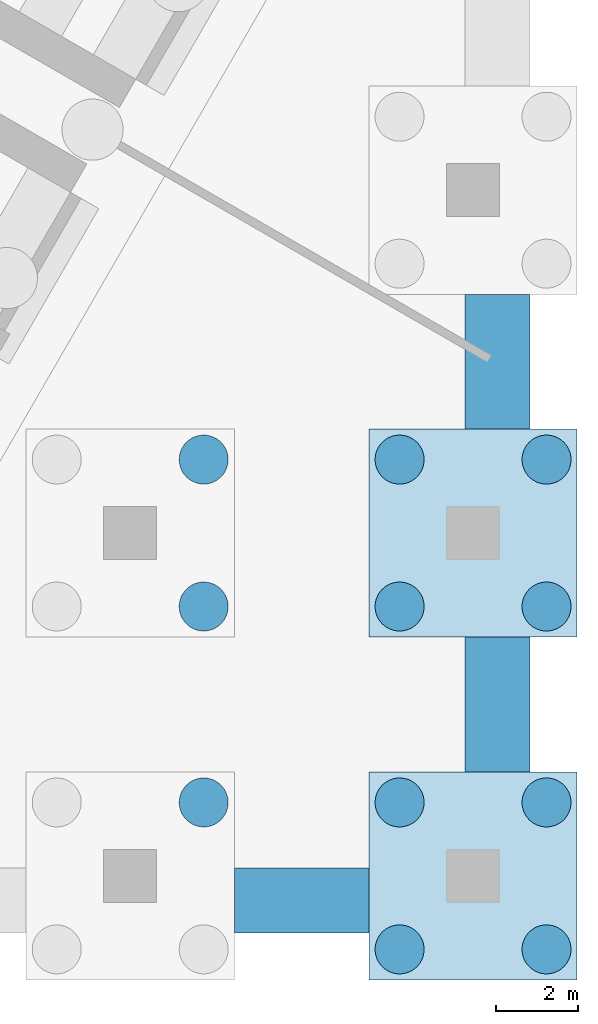
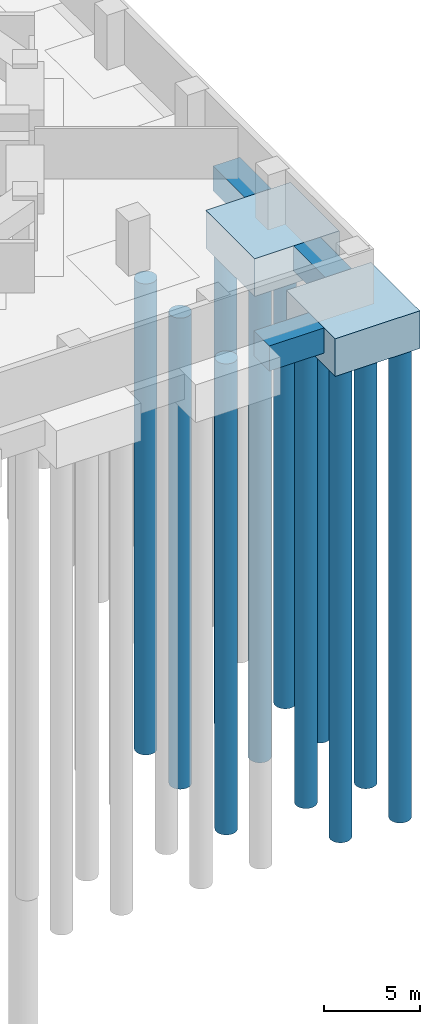
# One storey, part 24 of 73: 11 piles, 5 footings.
"""IFC4 building model written with IfcOpenShell, lengths in metres."""

from ifc_helpers import new_model, si_unit, direction, frame, origin, origin_2d, place, context, subcontext, project, spatial, polyline, circle, outline, extrude, material, material_profile, profile_set, type_object, element, save


model = new_model("IFC4")

# Units and contexts
model_context = context("Model", 3, precision=1e-05, world=origin(), true_north=direction((0.0, 1.0)))
body_context = subcontext(model_context, "Body", "Model", "MODEL_VIEW")
ifc_project = project(units=[si_unit("LENGTHUNIT", "METRE"), si_unit("AREAUNIT", "SQUARE_METRE"), si_unit("VOLUMEUNIT", "CUBIC_METRE"), si_unit("PLANEANGLEUNIT", "RADIAN"), si_unit("MASSUNIT", "GRAM", prefix="KILO")], contexts=[model_context])

# Site, building, storey
site_placement = place(None, origin())
site = spatial("IfcSite", under=ifc_project, at=site_placement, CompositionType="ELEMENT")
building_placement = place(site_placement, origin())
building = spatial("IfcBuilding", under=site, at=building_placement, Name="Impinga Residences", CompositionType="ELEMENT")
storey_placement = place(building_placement, frame((0.0, 0.0, -10.5)))
storey = spatial("IfcBuildingStorey", under=building, at=storey_placement, Name="B3", CompositionType="ELEMENT", Elevation=-10.5)

# Piles
ifc_material_1 = material(Name="Concrete C35/45", Category="concrete")
ifc_material_profile = material_profile(ifc_material_1, circle(Radius=0.60009765625, at=origin_2d()), Name="D1200")
ifc_profile_set = profile_set([ifc_material_profile], Name="Concrete C35/45")
pile_type = type_object("IfcPileType", Name="BP2 bored pile D1200", PredefinedType="BORED", material=ifc_profile_set)
pile_1_placement = place(storey_placement, frame((43.800048828125, -40.199951171875, -2.39990234375), z_axis=(0.0, 0.0, -1.0), x_axis=(1.0, 0.0, 0.0)))
element("IfcPile", 1, at=pile_1_placement, inside=storey, type_object=pile_type, Name="Cap pile BP2 12/A-3", PredefinedType="BORED", context=body_context, shape_type="SweptSolid", body=[
    extrude(outline(polyline([(0.60009765625, 0.0), (0.59716796875, 0.058837890625), (0.58837890625, 0.116943359375), (0.57421875, 0.174072265625), (0.554443359375, 0.2294921875), (0.529052734375, 0.282958984375), (0.498779296875, 0.333251953125), (0.4638671875, 0.380615234375), (0.42431640625, 0.42431640625), (0.380615234375, 0.4638671875), (0.333251953125, 0.498779296875), (0.282958984375, 0.529052734375), (0.2294921875, 0.554443359375), (0.174072265625, 0.57421875), (0.116943359375, 0.58837890625), (0.058837890625, 0.59716796875), (0.0, 0.60009765625), (-0.058837890625, 0.59716796875), (-0.116943359375, 0.58837890625), (-0.174072265625, 0.57421875), (-0.2294921875, 0.554443359375), (-0.282958984375, 0.529052734375), (-0.333251953125, 0.498779296875), (-0.380615234375, 0.4638671875), (-0.42431640625, 0.42431640625), (-0.4638671875, 0.380615234375), (-0.498779296875, 0.333251953125), (-0.529052734375, 0.282958984375), (-0.554443359375, 0.2294921875), (-0.57421875, 0.174072265625), (-0.58837890625, 0.116943359375), (-0.59716796875, 0.058837890625), (-0.60009765625, 0.0), (-0.59716796875, -0.058837890625), (-0.58837890625, -0.116943359375), (-0.57421875, -0.174072265625), (-0.554443359375, -0.2294921875), (-0.529052734375, -0.282958984375), (-0.498779296875, -0.333251953125), (-0.4638671875, -0.380615234375), (-0.42431640625, -0.42431640625), (-0.380615234375, -0.4638671875), (-0.333251953125, -0.498779296875), (-0.282958984375, -0.529052734375), (-0.2294921875, -0.554443359375), (-0.174072265625, -0.57421875), (-0.116943359375, -0.58837890625), (-0.058837890625, -0.59716796875), (0.0, -0.60009765625), (0.058837890625, -0.59716796875), (0.116943359375, -0.58837890625), (0.174072265625, -0.57421875), (0.2294921875, -0.554443359375), (0.282958984375, -0.529052734375), (0.333251953125, -0.498779296875), (0.380615234375, -0.4638671875), (0.42431640625, -0.42431640625), (0.4638671875, -0.380615234375), (0.498779296875, -0.333251953125), (0.529052734375, -0.282958984375), (0.554443359375, -0.2294921875), (0.57421875, -0.174072265625), (0.58837890625, -0.116943359375), (0.59716796875, -0.058837890625), (0.60009765625, 0.0)])), origin(), (0.0, 0.0, 1.0), 30.0),
])
pile_2_placement = place(storey_placement, frame((43.800048828125, -35.39990234375, -2.39990234375), z_axis=(0.0, 0.0, -1.0), x_axis=(1.0, 0.0, 0.0)))
element("IfcPile", 2, at=pile_2_placement, inside=storey, type_object=pile_type, Name="Cap pile BP2 12/B-2", PredefinedType="BORED", context=body_context, shape_type="SweptSolid", body=[
    extrude(outline(polyline([(0.60009765625, 0.0), (0.59716796875, 0.058837890625), (0.58837890625, 0.116943359375), (0.57421875, 0.174072265625), (0.554443359375, 0.2294921875), (0.529052734375, 0.282958984375), (0.498779296875, 0.333251953125), (0.4638671875, 0.380615234375), (0.42431640625, 0.42431640625), (0.380615234375, 0.4638671875), (0.333251953125, 0.498779296875), (0.282958984375, 0.529052734375), (0.2294921875, 0.554443359375), (0.174072265625, 0.57421875), (0.116943359375, 0.58837890625), (0.058837890625, 0.59716796875), (0.0, 0.60009765625), (-0.058837890625, 0.59716796875), (-0.116943359375, 0.58837890625), (-0.174072265625, 0.57421875), (-0.2294921875, 0.554443359375), (-0.282958984375, 0.529052734375), (-0.333251953125, 0.498779296875), (-0.380615234375, 0.4638671875), (-0.42431640625, 0.42431640625), (-0.4638671875, 0.380615234375), (-0.498779296875, 0.333251953125), (-0.529052734375, 0.282958984375), (-0.554443359375, 0.2294921875), (-0.57421875, 0.174072265625), (-0.58837890625, 0.116943359375), (-0.59716796875, 0.058837890625), (-0.60009765625, 0.0), (-0.59716796875, -0.058837890625), (-0.58837890625, -0.116943359375), (-0.57421875, -0.174072265625), (-0.554443359375, -0.2294921875), (-0.529052734375, -0.282958984375), (-0.498779296875, -0.333251953125), (-0.4638671875, -0.380615234375), (-0.42431640625, -0.42431640625), (-0.380615234375, -0.4638671875), (-0.333251953125, -0.498779296875), (-0.282958984375, -0.529052734375), (-0.2294921875, -0.554443359375), (-0.174072265625, -0.57421875), (-0.116943359375, -0.58837890625), (-0.058837890625, -0.59716796875), (0.0, -0.60009765625), (0.058837890625, -0.59716796875), (0.116943359375, -0.58837890625), (0.174072265625, -0.57421875), (0.2294921875, -0.554443359375), (0.282958984375, -0.529052734375), (0.333251953125, -0.498779296875), (0.380615234375, -0.4638671875), (0.42431640625, -0.42431640625), (0.4638671875, -0.380615234375), (0.498779296875, -0.333251953125), (0.529052734375, -0.282958984375), (0.554443359375, -0.2294921875), (0.57421875, -0.174072265625), (0.58837890625, -0.116943359375), (0.59716796875, -0.058837890625), (0.60009765625, 0.0)])), origin(), (0.0, 0.0, 1.0), 30.0),
])
pile_3_placement = place(storey_placement, frame((43.800048828125, -31.800048828125, -2.39990234375), z_axis=(0.0, 0.0, -1.0), x_axis=(1.0, 0.0, 0.0)))
element("IfcPile", 3, at=pile_3_placement, inside=storey, type_object=pile_type, Name="Cap pile BP2 12/B-3", PredefinedType="BORED", context=body_context, shape_type="SweptSolid", body=[
    extrude(outline(polyline([(0.60009765625, 0.0), (0.59716796875, 0.058837890625), (0.58837890625, 0.116943359375), (0.57421875, 0.174072265625), (0.554443359375, 0.2294921875), (0.529052734375, 0.282958984375), (0.498779296875, 0.333251953125), (0.4638671875, 0.380615234375), (0.42431640625, 0.42431640625), (0.380615234375, 0.4638671875), (0.333251953125, 0.498779296875), (0.282958984375, 0.529052734375), (0.2294921875, 0.554443359375), (0.174072265625, 0.57421875), (0.116943359375, 0.58837890625), (0.058837890625, 0.59716796875), (0.0, 0.60009765625), (-0.058837890625, 0.59716796875), (-0.116943359375, 0.58837890625), (-0.174072265625, 0.57421875), (-0.2294921875, 0.554443359375), (-0.282958984375, 0.529052734375), (-0.333251953125, 0.498779296875), (-0.380615234375, 0.4638671875), (-0.42431640625, 0.42431640625), (-0.4638671875, 0.380615234375), (-0.498779296875, 0.333251953125), (-0.529052734375, 0.282958984375), (-0.554443359375, 0.2294921875), (-0.57421875, 0.174072265625), (-0.58837890625, 0.116943359375), (-0.59716796875, 0.058837890625), (-0.60009765625, 0.0), (-0.59716796875, -0.058837890625), (-0.58837890625, -0.116943359375), (-0.57421875, -0.174072265625), (-0.554443359375, -0.2294921875), (-0.529052734375, -0.282958984375), (-0.498779296875, -0.333251953125), (-0.4638671875, -0.380615234375), (-0.42431640625, -0.42431640625), (-0.380615234375, -0.4638671875), (-0.333251953125, -0.498779296875), (-0.282958984375, -0.529052734375), (-0.2294921875, -0.554443359375), (-0.174072265625, -0.57421875), (-0.116943359375, -0.58837890625), (-0.058837890625, -0.59716796875), (0.0, -0.60009765625), (0.058837890625, -0.59716796875), (0.116943359375, -0.58837890625), (0.174072265625, -0.57421875), (0.2294921875, -0.554443359375), (0.282958984375, -0.529052734375), (0.333251953125, -0.498779296875), (0.380615234375, -0.4638671875), (0.42431640625, -0.42431640625), (0.4638671875, -0.380615234375), (0.498779296875, -0.333251953125), (0.529052734375, -0.282958984375), (0.554443359375, -0.2294921875), (0.57421875, -0.174072265625), (0.58837890625, -0.116943359375), (0.59716796875, -0.058837890625), (0.60009765625, 0.0)])), origin(), (0.0, 0.0, 1.0), 30.0),
])
pile_4_placement = place(storey_placement, frame((48.60009765625, -43.800048828125, -2.39990234375), z_axis=(0.0, 0.0, -1.0), x_axis=(1.0, 0.0, 0.0)))
element("IfcPile", 4, at=pile_4_placement, inside=storey, type_object=pile_type, Name="Cap pile BP2 13/A-1", PredefinedType="BORED", context=body_context, shape_type="SweptSolid", body=[
    extrude(outline(polyline([(0.60009765625, 0.0), (0.59716796875, 0.058837890625), (0.58837890625, 0.116943359375), (0.57421875, 0.174072265625), (0.554443359375, 0.2294921875), (0.529052734375, 0.282958984375), (0.498779296875, 0.333251953125), (0.4638671875, 0.380615234375), (0.42431640625, 0.42431640625), (0.380615234375, 0.4638671875), (0.333251953125, 0.498779296875), (0.282958984375, 0.529052734375), (0.2294921875, 0.554443359375), (0.174072265625, 0.57421875), (0.116943359375, 0.58837890625), (0.058837890625, 0.59716796875), (0.0, 0.60009765625), (-0.058837890625, 0.59716796875), (-0.116943359375, 0.58837890625), (-0.174072265625, 0.57421875), (-0.2294921875, 0.554443359375), (-0.282958984375, 0.529052734375), (-0.333251953125, 0.498779296875), (-0.380615234375, 0.4638671875), (-0.42431640625, 0.42431640625), (-0.4638671875, 0.380615234375), (-0.498779296875, 0.333251953125), (-0.529052734375, 0.282958984375), (-0.554443359375, 0.2294921875), (-0.57421875, 0.174072265625), (-0.58837890625, 0.116943359375), (-0.59716796875, 0.058837890625), (-0.60009765625, 0.0), (-0.59716796875, -0.058837890625), (-0.58837890625, -0.116943359375), (-0.57421875, -0.174072265625), (-0.554443359375, -0.2294921875), (-0.529052734375, -0.282958984375), (-0.498779296875, -0.333251953125), (-0.4638671875, -0.380615234375), (-0.42431640625, -0.42431640625), (-0.380615234375, -0.4638671875), (-0.333251953125, -0.498779296875), (-0.282958984375, -0.529052734375), (-0.2294921875, -0.554443359375), (-0.174072265625, -0.57421875), (-0.116943359375, -0.58837890625), (-0.058837890625, -0.59716796875), (0.0, -0.60009765625), (0.058837890625, -0.59716796875), (0.116943359375, -0.58837890625), (0.174072265625, -0.57421875), (0.2294921875, -0.554443359375), (0.282958984375, -0.529052734375), (0.333251953125, -0.498779296875), (0.380615234375, -0.4638671875), (0.42431640625, -0.42431640625), (0.4638671875, -0.380615234375), (0.498779296875, -0.333251953125), (0.529052734375, -0.282958984375), (0.554443359375, -0.2294921875), (0.57421875, -0.174072265625), (0.58837890625, -0.116943359375), (0.59716796875, -0.058837890625), (0.60009765625, 0.0)])), origin(), (0.0, 0.0, 1.0), 30.0),
])
pile_5_placement = place(storey_placement, frame((52.199951171875, -43.800048828125, -2.39990234375), z_axis=(0.0, 0.0, -1.0), x_axis=(1.0, 0.0, 0.0)))
element("IfcPile", 5, at=pile_5_placement, inside=storey, type_object=pile_type, Name="Cap pile BP2 13/A-2", PredefinedType="BORED", context=body_context, shape_type="SweptSolid", body=[
    extrude(outline(polyline([(0.60009765625, 0.0), (0.59716796875, 0.058837890625), (0.58837890625, 0.116943359375), (0.57421875, 0.174072265625), (0.554443359375, 0.2294921875), (0.529052734375, 0.282958984375), (0.498779296875, 0.333251953125), (0.4638671875, 0.380615234375), (0.42431640625, 0.42431640625), (0.380615234375, 0.4638671875), (0.333251953125, 0.498779296875), (0.282958984375, 0.529052734375), (0.2294921875, 0.554443359375), (0.174072265625, 0.57421875), (0.116943359375, 0.58837890625), (0.058837890625, 0.59716796875), (0.0, 0.60009765625), (-0.058837890625, 0.59716796875), (-0.116943359375, 0.58837890625), (-0.174072265625, 0.57421875), (-0.2294921875, 0.554443359375), (-0.282958984375, 0.529052734375), (-0.333251953125, 0.498779296875), (-0.380615234375, 0.4638671875), (-0.42431640625, 0.42431640625), (-0.4638671875, 0.380615234375), (-0.498779296875, 0.333251953125), (-0.529052734375, 0.282958984375), (-0.554443359375, 0.2294921875), (-0.57421875, 0.174072265625), (-0.58837890625, 0.116943359375), (-0.59716796875, 0.058837890625), (-0.60009765625, 0.0), (-0.59716796875, -0.058837890625), (-0.58837890625, -0.116943359375), (-0.57421875, -0.174072265625), (-0.554443359375, -0.2294921875), (-0.529052734375, -0.282958984375), (-0.498779296875, -0.333251953125), (-0.4638671875, -0.380615234375), (-0.42431640625, -0.42431640625), (-0.380615234375, -0.4638671875), (-0.333251953125, -0.498779296875), (-0.282958984375, -0.529052734375), (-0.2294921875, -0.554443359375), (-0.174072265625, -0.57421875), (-0.116943359375, -0.58837890625), (-0.058837890625, -0.59716796875), (0.0, -0.60009765625), (0.058837890625, -0.59716796875), (0.116943359375, -0.58837890625), (0.174072265625, -0.57421875), (0.2294921875, -0.554443359375), (0.282958984375, -0.529052734375), (0.333251953125, -0.498779296875), (0.380615234375, -0.4638671875), (0.42431640625, -0.42431640625), (0.4638671875, -0.380615234375), (0.498779296875, -0.333251953125), (0.529052734375, -0.282958984375), (0.554443359375, -0.2294921875), (0.57421875, -0.174072265625), (0.58837890625, -0.116943359375), (0.59716796875, -0.058837890625), (0.60009765625, 0.0)])), origin(), (0.0, 0.0, 1.0), 30.0),
])
pile_6_placement = place(storey_placement, frame((52.199951171875, -40.199951171875, -2.39990234375), z_axis=(0.0, 0.0, -1.0), x_axis=(1.0, 0.0, 0.0)))
element("IfcPile", 6, at=pile_6_placement, inside=storey, type_object=pile_type, Name="Cap pile BP2 13/A-3", PredefinedType="BORED", context=body_context, shape_type="SweptSolid", body=[
    extrude(outline(polyline([(0.60009765625, 0.0), (0.59716796875, 0.058837890625), (0.58837890625, 0.116943359375), (0.57421875, 0.174072265625), (0.554443359375, 0.2294921875), (0.529052734375, 0.282958984375), (0.498779296875, 0.333251953125), (0.4638671875, 0.380615234375), (0.42431640625, 0.42431640625), (0.380615234375, 0.4638671875), (0.333251953125, 0.498779296875), (0.282958984375, 0.529052734375), (0.2294921875, 0.554443359375), (0.174072265625, 0.57421875), (0.116943359375, 0.58837890625), (0.058837890625, 0.59716796875), (0.0, 0.60009765625), (-0.058837890625, 0.59716796875), (-0.116943359375, 0.58837890625), (-0.174072265625, 0.57421875), (-0.2294921875, 0.554443359375), (-0.282958984375, 0.529052734375), (-0.333251953125, 0.498779296875), (-0.380615234375, 0.4638671875), (-0.42431640625, 0.42431640625), (-0.4638671875, 0.380615234375), (-0.498779296875, 0.333251953125), (-0.529052734375, 0.282958984375), (-0.554443359375, 0.2294921875), (-0.57421875, 0.174072265625), (-0.58837890625, 0.116943359375), (-0.59716796875, 0.058837890625), (-0.60009765625, 0.0), (-0.59716796875, -0.058837890625), (-0.58837890625, -0.116943359375), (-0.57421875, -0.174072265625), (-0.554443359375, -0.2294921875), (-0.529052734375, -0.282958984375), (-0.498779296875, -0.333251953125), (-0.4638671875, -0.380615234375), (-0.42431640625, -0.42431640625), (-0.380615234375, -0.4638671875), (-0.333251953125, -0.498779296875), (-0.282958984375, -0.529052734375), (-0.2294921875, -0.554443359375), (-0.174072265625, -0.57421875), (-0.116943359375, -0.58837890625), (-0.058837890625, -0.59716796875), (0.0, -0.60009765625), (0.058837890625, -0.59716796875), (0.116943359375, -0.58837890625), (0.174072265625, -0.57421875), (0.2294921875, -0.554443359375), (0.282958984375, -0.529052734375), (0.333251953125, -0.498779296875), (0.380615234375, -0.4638671875), (0.42431640625, -0.42431640625), (0.4638671875, -0.380615234375), (0.498779296875, -0.333251953125), (0.529052734375, -0.282958984375), (0.554443359375, -0.2294921875), (0.57421875, -0.174072265625), (0.58837890625, -0.116943359375), (0.59716796875, -0.058837890625), (0.60009765625, 0.0)])), origin(), (0.0, 0.0, 1.0), 30.0),
])
pile_7_placement = place(storey_placement, frame((48.60009765625, -40.199951171875, -2.39990234375), z_axis=(0.0, 0.0, -1.0), x_axis=(1.0, 0.0, 0.0)))
element("IfcPile", 7, at=pile_7_placement, inside=storey, type_object=pile_type, Name="Cap pile BP2 13/A-4", PredefinedType="BORED", context=body_context, shape_type="SweptSolid", body=[
    extrude(outline(polyline([(0.60009765625, 0.0), (0.59716796875, 0.058837890625), (0.58837890625, 0.116943359375), (0.57421875, 0.174072265625), (0.554443359375, 0.2294921875), (0.529052734375, 0.282958984375), (0.498779296875, 0.333251953125), (0.4638671875, 0.380615234375), (0.42431640625, 0.42431640625), (0.380615234375, 0.4638671875), (0.333251953125, 0.498779296875), (0.282958984375, 0.529052734375), (0.2294921875, 0.554443359375), (0.174072265625, 0.57421875), (0.116943359375, 0.58837890625), (0.058837890625, 0.59716796875), (0.0, 0.60009765625), (-0.058837890625, 0.59716796875), (-0.116943359375, 0.58837890625), (-0.174072265625, 0.57421875), (-0.2294921875, 0.554443359375), (-0.282958984375, 0.529052734375), (-0.333251953125, 0.498779296875), (-0.380615234375, 0.4638671875), (-0.42431640625, 0.42431640625), (-0.4638671875, 0.380615234375), (-0.498779296875, 0.333251953125), (-0.529052734375, 0.282958984375), (-0.554443359375, 0.2294921875), (-0.57421875, 0.174072265625), (-0.58837890625, 0.116943359375), (-0.59716796875, 0.058837890625), (-0.60009765625, 0.0), (-0.59716796875, -0.058837890625), (-0.58837890625, -0.116943359375), (-0.57421875, -0.174072265625), (-0.554443359375, -0.2294921875), (-0.529052734375, -0.282958984375), (-0.498779296875, -0.333251953125), (-0.4638671875, -0.380615234375), (-0.42431640625, -0.42431640625), (-0.380615234375, -0.4638671875), (-0.333251953125, -0.498779296875), (-0.282958984375, -0.529052734375), (-0.2294921875, -0.554443359375), (-0.174072265625, -0.57421875), (-0.116943359375, -0.58837890625), (-0.058837890625, -0.59716796875), (0.0, -0.60009765625), (0.058837890625, -0.59716796875), (0.116943359375, -0.58837890625), (0.174072265625, -0.57421875), (0.2294921875, -0.554443359375), (0.282958984375, -0.529052734375), (0.333251953125, -0.498779296875), (0.380615234375, -0.4638671875), (0.42431640625, -0.42431640625), (0.4638671875, -0.380615234375), (0.498779296875, -0.333251953125), (0.529052734375, -0.282958984375), (0.554443359375, -0.2294921875), (0.57421875, -0.174072265625), (0.58837890625, -0.116943359375), (0.59716796875, -0.058837890625), (0.60009765625, 0.0)])), origin(), (0.0, 0.0, 1.0), 30.0),
])
pile_8_placement = place(storey_placement, frame((48.60009765625, -35.39990234375, -2.39990234375), z_axis=(0.0, 0.0, -1.0), x_axis=(1.0, 0.0, 0.0)))
element("IfcPile", 8, at=pile_8_placement, inside=storey, type_object=pile_type, Name="Cap pile BP2 13/B-1", PredefinedType="BORED", context=body_context, shape_type="SweptSolid", body=[
    extrude(outline(polyline([(0.60009765625, 0.0), (0.59716796875, 0.058837890625), (0.58837890625, 0.116943359375), (0.57421875, 0.174072265625), (0.554443359375, 0.2294921875), (0.529052734375, 0.282958984375), (0.498779296875, 0.333251953125), (0.4638671875, 0.380615234375), (0.42431640625, 0.42431640625), (0.380615234375, 0.4638671875), (0.333251953125, 0.498779296875), (0.282958984375, 0.529052734375), (0.2294921875, 0.554443359375), (0.174072265625, 0.57421875), (0.116943359375, 0.58837890625), (0.058837890625, 0.59716796875), (0.0, 0.60009765625), (-0.058837890625, 0.59716796875), (-0.116943359375, 0.58837890625), (-0.174072265625, 0.57421875), (-0.2294921875, 0.554443359375), (-0.282958984375, 0.529052734375), (-0.333251953125, 0.498779296875), (-0.380615234375, 0.4638671875), (-0.42431640625, 0.42431640625), (-0.4638671875, 0.380615234375), (-0.498779296875, 0.333251953125), (-0.529052734375, 0.282958984375), (-0.554443359375, 0.2294921875), (-0.57421875, 0.174072265625), (-0.58837890625, 0.116943359375), (-0.59716796875, 0.058837890625), (-0.60009765625, 0.0), (-0.59716796875, -0.058837890625), (-0.58837890625, -0.116943359375), (-0.57421875, -0.174072265625), (-0.554443359375, -0.2294921875), (-0.529052734375, -0.282958984375), (-0.498779296875, -0.333251953125), (-0.4638671875, -0.380615234375), (-0.42431640625, -0.42431640625), (-0.380615234375, -0.4638671875), (-0.333251953125, -0.498779296875), (-0.282958984375, -0.529052734375), (-0.2294921875, -0.554443359375), (-0.174072265625, -0.57421875), (-0.116943359375, -0.58837890625), (-0.058837890625, -0.59716796875), (0.0, -0.60009765625), (0.058837890625, -0.59716796875), (0.116943359375, -0.58837890625), (0.174072265625, -0.57421875), (0.2294921875, -0.554443359375), (0.282958984375, -0.529052734375), (0.333251953125, -0.498779296875), (0.380615234375, -0.4638671875), (0.42431640625, -0.42431640625), (0.4638671875, -0.380615234375), (0.498779296875, -0.333251953125), (0.529052734375, -0.282958984375), (0.554443359375, -0.2294921875), (0.57421875, -0.174072265625), (0.58837890625, -0.116943359375), (0.59716796875, -0.058837890625), (0.60009765625, 0.0)])), origin(), (0.0, 0.0, 1.0), 30.0),
])
pile_9_placement = place(storey_placement, frame((52.199951171875, -35.39990234375, -2.39990234375), z_axis=(0.0, 0.0, -1.0), x_axis=(1.0, 0.0, 0.0)))
element("IfcPile", 9, at=pile_9_placement, inside=storey, type_object=pile_type, Name="Cap pile BP2 13/B-2", PredefinedType="BORED", context=body_context, shape_type="SweptSolid", body=[
    extrude(outline(polyline([(0.60009765625, 0.0), (0.59716796875, 0.058837890625), (0.58837890625, 0.116943359375), (0.57421875, 0.174072265625), (0.554443359375, 0.2294921875), (0.529052734375, 0.282958984375), (0.498779296875, 0.333251953125), (0.4638671875, 0.380615234375), (0.42431640625, 0.42431640625), (0.380615234375, 0.4638671875), (0.333251953125, 0.498779296875), (0.282958984375, 0.529052734375), (0.2294921875, 0.554443359375), (0.174072265625, 0.57421875), (0.116943359375, 0.58837890625), (0.058837890625, 0.59716796875), (0.0, 0.60009765625), (-0.058837890625, 0.59716796875), (-0.116943359375, 0.58837890625), (-0.174072265625, 0.57421875), (-0.2294921875, 0.554443359375), (-0.282958984375, 0.529052734375), (-0.333251953125, 0.498779296875), (-0.380615234375, 0.4638671875), (-0.42431640625, 0.42431640625), (-0.4638671875, 0.380615234375), (-0.498779296875, 0.333251953125), (-0.529052734375, 0.282958984375), (-0.554443359375, 0.2294921875), (-0.57421875, 0.174072265625), (-0.58837890625, 0.116943359375), (-0.59716796875, 0.058837890625), (-0.60009765625, 0.0), (-0.59716796875, -0.058837890625), (-0.58837890625, -0.116943359375), (-0.57421875, -0.174072265625), (-0.554443359375, -0.2294921875), (-0.529052734375, -0.282958984375), (-0.498779296875, -0.333251953125), (-0.4638671875, -0.380615234375), (-0.42431640625, -0.42431640625), (-0.380615234375, -0.4638671875), (-0.333251953125, -0.498779296875), (-0.282958984375, -0.529052734375), (-0.2294921875, -0.554443359375), (-0.174072265625, -0.57421875), (-0.116943359375, -0.58837890625), (-0.058837890625, -0.59716796875), (0.0, -0.60009765625), (0.058837890625, -0.59716796875), (0.116943359375, -0.58837890625), (0.174072265625, -0.57421875), (0.2294921875, -0.554443359375), (0.282958984375, -0.529052734375), (0.333251953125, -0.498779296875), (0.380615234375, -0.4638671875), (0.42431640625, -0.42431640625), (0.4638671875, -0.380615234375), (0.498779296875, -0.333251953125), (0.529052734375, -0.282958984375), (0.554443359375, -0.2294921875), (0.57421875, -0.174072265625), (0.58837890625, -0.116943359375), (0.59716796875, -0.058837890625), (0.60009765625, 0.0)])), origin(), (0.0, 0.0, 1.0), 30.0),
])
pile_10_placement = place(storey_placement, frame((52.199951171875, -31.800048828125, -2.39990234375), z_axis=(0.0, 0.0, -1.0), x_axis=(1.0, 0.0, 0.0)))
element("IfcPile", 10, at=pile_10_placement, inside=storey, type_object=pile_type, Name="Cap pile BP2 13/B-3", PredefinedType="BORED", context=body_context, shape_type="SweptSolid", body=[
    extrude(outline(polyline([(0.60009765625, 0.0), (0.59716796875, 0.058837890625), (0.58837890625, 0.116943359375), (0.57421875, 0.174072265625), (0.554443359375, 0.2294921875), (0.529052734375, 0.282958984375), (0.498779296875, 0.333251953125), (0.4638671875, 0.380615234375), (0.42431640625, 0.42431640625), (0.380615234375, 0.4638671875), (0.333251953125, 0.498779296875), (0.282958984375, 0.529052734375), (0.2294921875, 0.554443359375), (0.174072265625, 0.57421875), (0.116943359375, 0.58837890625), (0.058837890625, 0.59716796875), (0.0, 0.60009765625), (-0.058837890625, 0.59716796875), (-0.116943359375, 0.58837890625), (-0.174072265625, 0.57421875), (-0.2294921875, 0.554443359375), (-0.282958984375, 0.529052734375), (-0.333251953125, 0.498779296875), (-0.380615234375, 0.4638671875), (-0.42431640625, 0.42431640625), (-0.4638671875, 0.380615234375), (-0.498779296875, 0.333251953125), (-0.529052734375, 0.282958984375), (-0.554443359375, 0.2294921875), (-0.57421875, 0.174072265625), (-0.58837890625, 0.116943359375), (-0.59716796875, 0.058837890625), (-0.60009765625, 0.0), (-0.59716796875, -0.058837890625), (-0.58837890625, -0.116943359375), (-0.57421875, -0.174072265625), (-0.554443359375, -0.2294921875), (-0.529052734375, -0.282958984375), (-0.498779296875, -0.333251953125), (-0.4638671875, -0.380615234375), (-0.42431640625, -0.42431640625), (-0.380615234375, -0.4638671875), (-0.333251953125, -0.498779296875), (-0.282958984375, -0.529052734375), (-0.2294921875, -0.554443359375), (-0.174072265625, -0.57421875), (-0.116943359375, -0.58837890625), (-0.058837890625, -0.59716796875), (0.0, -0.60009765625), (0.058837890625, -0.59716796875), (0.116943359375, -0.58837890625), (0.174072265625, -0.57421875), (0.2294921875, -0.554443359375), (0.282958984375, -0.529052734375), (0.333251953125, -0.498779296875), (0.380615234375, -0.4638671875), (0.42431640625, -0.42431640625), (0.4638671875, -0.380615234375), (0.498779296875, -0.333251953125), (0.529052734375, -0.282958984375), (0.554443359375, -0.2294921875), (0.57421875, -0.174072265625), (0.58837890625, -0.116943359375), (0.59716796875, -0.058837890625), (0.60009765625, 0.0)])), origin(), (0.0, 0.0, 1.0), 30.0),
])
pile_11_placement = place(storey_placement, frame((48.60009765625, -31.800048828125, -2.39990234375), z_axis=(0.0, 0.0, -1.0), x_axis=(1.0, 0.0, 0.0)))
element("IfcPile", 11, at=pile_11_placement, inside=storey, type_object=pile_type, Name="Cap pile BP2 13/B-4", PredefinedType="BORED", context=body_context, shape_type="SweptSolid", body=[
    extrude(outline(polyline([(0.60009765625, 0.0), (0.59716796875, 0.058837890625), (0.58837890625, 0.116943359375), (0.57421875, 0.174072265625), (0.554443359375, 0.2294921875), (0.529052734375, 0.282958984375), (0.498779296875, 0.333251953125), (0.4638671875, 0.380615234375), (0.42431640625, 0.42431640625), (0.380615234375, 0.4638671875), (0.333251953125, 0.498779296875), (0.282958984375, 0.529052734375), (0.2294921875, 0.554443359375), (0.174072265625, 0.57421875), (0.116943359375, 0.58837890625), (0.058837890625, 0.59716796875), (0.0, 0.60009765625), (-0.058837890625, 0.59716796875), (-0.116943359375, 0.58837890625), (-0.174072265625, 0.57421875), (-0.2294921875, 0.554443359375), (-0.282958984375, 0.529052734375), (-0.333251953125, 0.498779296875), (-0.380615234375, 0.4638671875), (-0.42431640625, 0.42431640625), (-0.4638671875, 0.380615234375), (-0.498779296875, 0.333251953125), (-0.529052734375, 0.282958984375), (-0.554443359375, 0.2294921875), (-0.57421875, 0.174072265625), (-0.58837890625, 0.116943359375), (-0.59716796875, 0.058837890625), (-0.60009765625, 0.0), (-0.59716796875, -0.058837890625), (-0.58837890625, -0.116943359375), (-0.57421875, -0.174072265625), (-0.554443359375, -0.2294921875), (-0.529052734375, -0.282958984375), (-0.498779296875, -0.333251953125), (-0.4638671875, -0.380615234375), (-0.42431640625, -0.42431640625), (-0.380615234375, -0.4638671875), (-0.333251953125, -0.498779296875), (-0.282958984375, -0.529052734375), (-0.2294921875, -0.554443359375), (-0.174072265625, -0.57421875), (-0.116943359375, -0.58837890625), (-0.058837890625, -0.59716796875), (0.0, -0.60009765625), (0.058837890625, -0.59716796875), (0.116943359375, -0.58837890625), (0.174072265625, -0.57421875), (0.2294921875, -0.554443359375), (0.282958984375, -0.529052734375), (0.333251953125, -0.498779296875), (0.380615234375, -0.4638671875), (0.42431640625, -0.42431640625), (0.4638671875, -0.380615234375), (0.498779296875, -0.333251953125), (0.529052734375, -0.282958984375), (0.554443359375, -0.2294921875), (0.57421875, -0.174072265625), (0.58837890625, -0.116943359375), (0.59716796875, -0.058837890625), (0.60009765625, 0.0)])), origin(), (0.0, 0.0, 1.0), 30.0),
])

# Footings
ifc_material_2 = material(Name="Concrete C45/55", Category="concrete")
footing_type_1 = type_object("IfcFootingType", Name="PC4 four-pile cap 5100 square 2400 deep", PredefinedType="PILE_CAP", material=ifc_material_2)
footing_1_placement = place(storey_placement, frame((0.0, 0.0, -2.39990234375)))
element("IfcFooting", 12, at=footing_1_placement, inside=storey, type_object=footing_type_1, Name="Pile cap PC4 13/A", PredefinedType="PILE_CAP", context=body_context, shape_type="SweptSolid", body=[
    extrude(outline(polyline([(52.949951171875, -44.550048828125), (52.949951171875, -39.449951171875), (47.85009765625, -39.449951171875), (47.85009765625, -44.550048828125), (52.949951171875, -44.550048828125)])), origin(), (0.0, 0.0, 1.0), 2.39990234375),
])
footing_2_placement = place(storey_placement, frame((0.0, 0.0, -2.39990234375)))
element("IfcFooting", 13, at=footing_2_placement, inside=storey, type_object=footing_type_1, Name="Pile cap PC4 13/B", PredefinedType="PILE_CAP", context=body_context, shape_type="SweptSolid", body=[
    extrude(outline(polyline([(52.949951171875, -36.14990234375), (52.949951171875, -31.050048828125), (47.85009765625, -31.050048828125), (47.85009765625, -36.14990234375), (52.949951171875, -36.14990234375)])), origin(), (0.0, 0.0, 1.0), 2.39990234375),
])
footing_type_2 = type_object("IfcFootingType", Name="SF1 strip footing 1600 wide 1600 deep", PredefinedType="STRIP_FOOTING", material=ifc_material_2)
footing_3_placement = place(storey_placement, frame((0.0, 0.0, -1.60009765625)))
element("IfcFooting", 14, at=footing_3_placement, inside=storey, type_object=footing_type_2, Name="Strip footing SF1 S 1", PredefinedType="STRIP_FOOTING", context=body_context, shape_type="SweptSolid", body=[
    extrude(outline(polyline([(44.550048828125, -43.39990234375), (44.550048828125, -41.800048828125), (47.85009765625, -41.800048828125), (47.85009765625, -43.39990234375), (44.550048828125, -43.39990234375)])), origin(), (0.0, 0.0, 1.0), 1.60009765625),
])
footing_4_placement = place(storey_placement, frame((0.0, 0.0, -1.60009765625)))
element("IfcFooting", 15, at=footing_4_placement, inside=storey, type_object=footing_type_2, Name="Strip footing SF1 E 10", PredefinedType="STRIP_FOOTING", context=body_context, shape_type="SweptSolid", body=[
    extrude(outline(polyline([(51.800048828125, -31.050048828125), (50.199951171875, -31.050048828125), (50.199951171875, -27.75), (51.800048828125, -27.75), (51.800048828125, -31.050048828125)])), origin(), (0.0, 0.0, 1.0), 1.60009765625),
])
footing_5_placement = place(storey_placement, frame((0.0, 0.0, -1.60009765625)))
element("IfcFooting", 16, at=footing_5_placement, inside=storey, type_object=footing_type_2, Name="Strip footing SF1 E 11", PredefinedType="STRIP_FOOTING", context=body_context, shape_type="SweptSolid", body=[
    extrude(outline(polyline([(51.800048828125, -39.449951171875), (50.199951171875, -39.449951171875), (50.199951171875, -36.14990234375), (51.800048828125, -36.14990234375), (51.800048828125, -39.449951171875)])), origin(), (0.0, 0.0, 1.0), 1.60009765625),
])

save(model, "model.ifc")
